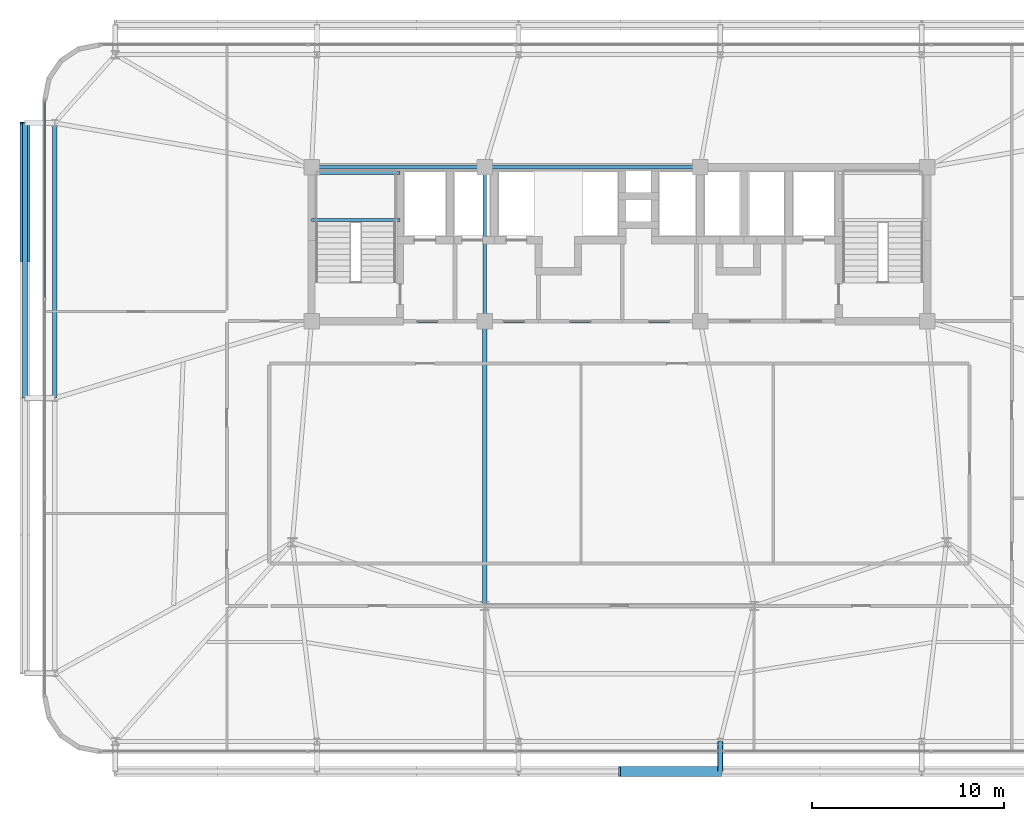
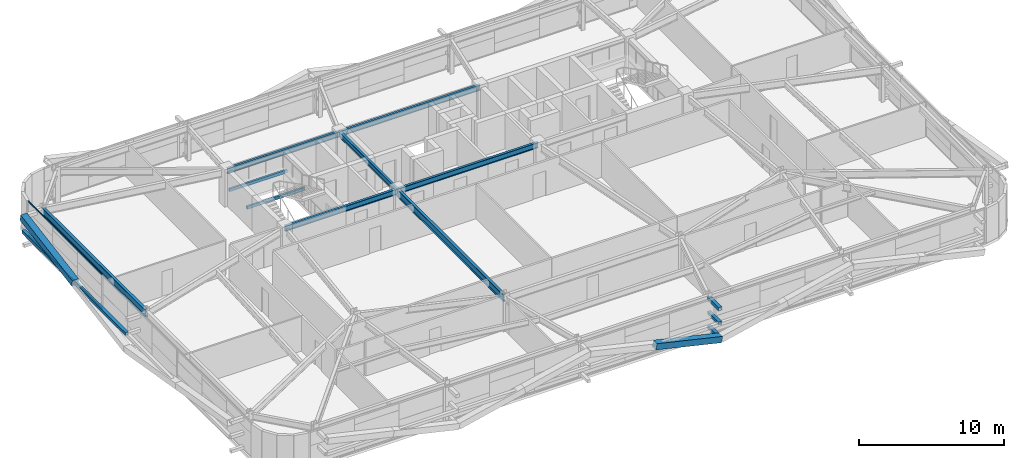
# One storey, part 12 of 44: 9 beams, 8 members, 1 element without a shape of its own.
"""IFC4 building model written with IfcOpenShell, lengths in metres."""

from ifc_helpers import new_model, si_unit, direction, frame, origin, origin_2d, place, context, subcontext, project, spatial, hollow_rectangle, i_section, extrude, source, transform, mapped, material, layer, layer_set, material_profile, profile_set, type_object, element, aggregate, save


model = new_model("IFC4")

# Units and contexts
model_context = context("Model", 3, precision=1e-05, world=origin(), true_north=direction((0.0, 1.0)))
body_context = subcontext(model_context, "Body", "Model", "MODEL_VIEW")
ifc_project = project(units=[si_unit("LENGTHUNIT", "METRE"), si_unit("AREAUNIT", "SQUARE_METRE"), si_unit("VOLUMEUNIT", "CUBIC_METRE"), si_unit("PLANEANGLEUNIT", "RADIAN"), si_unit("MASSUNIT", "GRAM", prefix="KILO")], contexts=[model_context])

# Site, building, storey
site_placement = place(None, origin())
site = spatial("IfcSite", under=ifc_project, at=site_placement, CompositionType="ELEMENT")
building_placement = place(site_placement, origin())
building = spatial("IfcBuilding", under=site, at=building_placement, Name="Taldren Reach Tower", CompositionType="ELEMENT")
storey_placement = place(building_placement, frame((0.0, 0.0, 38.85009765625)))
storey = spatial("IfcBuildingStorey", under=building, at=storey_placement, Name="L11", CompositionType="ELEMENT", Elevation=38.85009765625)

# Beams
ifc_material_1 = material(Name="Steel Gr 350 (350PLUS)", Category="steel")
ifc_material_profile_1 = material_profile(ifc_material_1, i_section(OverallWidth=0.19091796875, OverallDepth=0.4599609375, WebThickness=0.010009765625, FlangeThickness=0.01611328125, at=origin_2d()), Name="460UB82.1")
ifc_profile_set_1 = profile_set([ifc_material_profile_1], Name="Steel Gr 350 (350PLUS)")
beam_type_1 = type_object("IfcBeamType", Name="BM-UB460A", PredefinedType="BEAM", material=ifc_profile_set_1)
shared_shape_1 = source(origin(), body_context, "Body", "SweptSolid", [
    extrude(i_section(OverallWidth=0.19091796875, OverallDepth=0.4599609375, WebThickness=0.010009765625, FlangeThickness=0.01611328125, at=origin_2d()), origin(), (0.0, 0.0, 1.0), 9.0),
])
for number, where, z_axis, x_axis, name in (
    (1, (19.0, 24.0, 2.699951171875), (1.0, 0.0, 0.0), (0.0, 1.0, 0.0), "Core-spine girder L11-SP01"),
    (2, (19.0, 32.0, 2.699951171875), (1.0, 0.0, 0.0), (0.0, 1.0, 0.0), "Core-spine girder L11-SP04"),
):
    element("IfcBeam", number, at=place(storey_placement, frame(where, z_axis=z_axis, x_axis=x_axis)), inside=storey, type_object=beam_type_1, Name=name, PredefinedType="BEAM", context=body_context, shape_type="MappedRepresentation", body=[
        mapped(shared_shape_1, transform((0.0, 0.0, 0.0), scale=1.0)),
    ])
shared_shape_2 = source(origin(), body_context, "Body", "SweptSolid", [
    extrude(i_section(OverallWidth=0.19091796875, OverallDepth=0.4599609375, WebThickness=0.010009765625, FlangeThickness=0.01611328125, at=origin_2d()), origin(), (0.0, 0.0, 1.0), 11.199951171875),
])
for number, where, z_axis, x_axis, name in (
    (3, (28.0, 24.0, 2.699951171875), (1.0, 0.0, 0.0), (0.0, 1.0, 0.0), "Core-spine girder L11-SP02"),
    (4, (28.0, 32.0, 2.699951171875), (1.0, 0.0, 0.0), (0.0, 1.0, 0.0), "Core-spine girder L11-SP05"),
):
    element("IfcBeam", number, at=place(storey_placement, frame(where, z_axis=z_axis, x_axis=x_axis)), inside=storey, type_object=beam_type_1, Name=name, PredefinedType="BEAM", context=body_context, shape_type="MappedRepresentation", body=[
        mapped(shared_shape_2, transform((0.0, 0.0, 0.0), scale=1.0)),
    ])
shared_shape_3 = source(origin(), body_context, "Body", "SweptSolid", [
    extrude(i_section(OverallWidth=0.19091796875, OverallDepth=0.4599609375, WebThickness=0.010009765625, FlangeThickness=0.01611328125, at=origin_2d()), origin(), (0.0, 0.0, 1.0), 8.0),
])
beam_1_placement = place(storey_placement, frame((28.0, 24.0, 2.699951171875), z_axis=(0.0, 1.0, 0.0), x_axis=(-1.0, 0.0, 0.0)))
element("IfcBeam", 5, at=beam_1_placement, inside=storey, type_object=beam_type_1, Name="Core-spine girder L11-SP07", PredefinedType="BEAM", context=body_context, shape_type="MappedRepresentation", body=[
    mapped(shared_shape_3, transform((0.0, 0.0, 0.0), scale=1.0)),
])
ifc_material_profile_2 = material_profile(ifc_material_1, i_section(OverallWidth=0.22802734375, OverallDepth=0.60205078125, WebThickness=0.010498046875, FlangeThickness=0.014892578125, at=origin_2d()), Name="610UB101")
ifc_profile_set_2 = profile_set([ifc_material_profile_2], Name="Steel Gr 350 (350PLUS)")
beam_type_2 = type_object("IfcBeamType", Name="BM-UB610B", PredefinedType="BEAM", material=ifc_profile_set_2)
shared_shape_4 = source(origin(), body_context, "Body", "SweptSolid", [
    extrude(i_section(OverallWidth=0.22802734375, OverallDepth=0.60205078125, WebThickness=0.010498046875, FlangeThickness=0.014892578125, at=origin_2d()), origin(), (0.0, 0.0, 1.0), 14.800048828125),
])
beam_2_placement = place(storey_placement, frame((28.0, 24.0, 2.62890625), z_axis=(0.0, -1.0, 0.0), x_axis=(1.0, 0.0, 0.0)))
element("IfcBeam", 6, at=beam_2_placement, inside=storey, type_object=beam_type_2, Name="Core-spine girder L11-SP14", PredefinedType="BEAM", context=body_context, shape_type="MappedRepresentation", body=[
    mapped(shared_shape_4, transform((0.0, 0.0, 0.0), scale=1.0)),
])
shared_shape_5 = source(origin(), body_context, "Body", "SweptSolid", [
    extrude(i_section(OverallWidth=0.22802734375, OverallDepth=0.60205078125, WebThickness=0.010498046875, FlangeThickness=0.014892578125, at=origin_2d()), origin(), (0.0, 0.0, 1.0), 14.300048828125),
])
beam_3_placement = place(storey_placement, frame((5.64990234375, 34.300048828125, 2.62890625), z_axis=(0.0, -1.0, 0.0), x_axis=(1.0, 0.0, 0.0)))
element("IfcBeam", 7, at=beam_3_placement, inside=storey, type_object=beam_type_2, Name="Perimeter gable girder B1 W3-W2 L11", PredefinedType="BEAM", context=body_context, shape_type="MappedRepresentation", body=[
    mapped(shared_shape_5, transform((0.0, 0.0, 0.0), scale=1.0)),
])

# Members
ifc_material_2 = material(Name="Steel Gr 450 (C450L0)", Category="steel")
ifc_material_profile_3 = material_profile(ifc_material_2, hollow_rectangle(XDim=0.27490234375, YDim=0.27490234375, WallThickness=0.00927734375, at=origin_2d()), Name="275x275x9.3SHS")
ifc_profile_set_3 = profile_set([ifc_material_profile_3], Name="Steel Gr 450 (C450L0)")
member_type_1 = type_object("IfcMemberType", Name="MB-TIE273", PredefinedType="STRUT", material=ifc_profile_set_3)
shared_shape_6 = source(origin(), body_context, "Body", "SweptSolid", [
    extrude(hollow_rectangle(XDim=0.27490234375, YDim=0.27490234375, WallThickness=0.00927734375, at=origin_2d()), origin(), (0.0, 0.0, 1.0), 1.5498046875),
])
member_1_placement = place(storey_placement, frame((40.239990234375, 2.14990234375, 2.64990234375), z_axis=(0.0, -1.0, 0.0), x_axis=(1.0, 0.0, 0.0)))
element("IfcMember", 8, at=member_1_placement, inside=storey, type_object=member_type_1, Name="Exoskeleton diaphragm tie strut B1-S4 L11", PredefinedType="STRUT", context=body_context, shape_type="MappedRepresentation", body=[
    mapped(shared_shape_6, transform((0.0, 0.0, 0.0), scale=1.0)),
])
ifc_material_profile_4 = material_profile(ifc_material_2, hollow_rectangle(XDim=0.510009765625, YDim=0.510009765625, WallThickness=0.02001953125, at=origin_2d()), Name="510x510x20.0SHS")
ifc_profile_set_4 = profile_set([ifc_material_profile_4], Name="Steel Gr 450 (C450L0)")
member_type_2 = type_object("IfcMemberType", Name="MB-EXO508", PredefinedType="BRACE", material=ifc_profile_set_4)
shared_shape_7 = source(origin(), body_context, "Body", "SweptSolid", [
    extrude(hollow_rectangle(XDim=0.510009765625, YDim=0.510009765625, WallThickness=0.02001953125, at=origin_2d()), origin(), (0.0, 0.0, 1.0), 5.37890625),
])
member_2_placement = place(storey_placement, frame((40.239990234375, 0.60009765625, 0.219970703125), z_axis=(-0.974161966843, 0.0, 0.225850531007), x_axis=(0.0, -1.0, 0.0)))
element("IfcMember", 9, at=member_2_placement, inside=storey, type_object=member_type_2, Name="Exoskeleton Diagrid Brace B1-S3 L11", PredefinedType="BRACE", context=body_context, shape_type="MappedRepresentation", body=[
    mapped(shared_shape_7, transform((0.0, 0.0, 0.0), scale=1.0)),
])
ifc_material_3 = material(Name="Steel Gr 350 (C350L0)", Category="steel")
ifc_material_profile_5 = material_profile(ifc_material_3, hollow_rectangle(XDim=0.25, YDim=0.25, WallThickness=0.010009765625, at=origin_2d()), Name="250x250x10.0SHS")
ifc_profile_set_5 = profile_set([ifc_material_profile_5], Name="Steel Gr 350 (C350L0)")
member_type_3 = type_object("IfcMemberType", Name="MB-POST250", PredefinedType="POST", material=ifc_profile_set_5)
shared_shape_8 = source(origin(), body_context, "Body", "SweptSolid", [
    extrude(hollow_rectangle(XDim=0.25, YDim=0.25, WallThickness=0.010009765625, at=origin_2d()), origin(), (0.0, 0.0, 1.0), 1.5498046875),
])
for number, where, z_axis, x_axis, name in (
    (10, (40.239990234375, 2.14990234375, 0.219970703125), (0.0, -1.0, 0.0), (1.0, 0.0, 0.0), "Exoskeleton base diaphragm tie strut B1-S4 L11"),
    (11, (40.239990234375, 2.14990234375, 1.434814453125), (0.0, -1.0, 0.0), (1.0, 0.0, 0.0), "Exoskeleton mid-tier diaphragm tie B1-S4 L11"),
):
    element("IfcMember", number, at=place(storey_placement, frame(where, z_axis=z_axis, x_axis=x_axis)), inside=storey, type_object=member_type_3, Name=name, PredefinedType="POST", context=body_context, shape_type="MappedRepresentation", body=[
        mapped(shared_shape_8, transform((0.0, 0.0, 0.0), scale=1.0)),
    ])
shared_shape_9 = source(origin(), body_context, "Body", "SweptSolid", [
    extrude(hollow_rectangle(XDim=0.510009765625, YDim=0.510009765625, WallThickness=0.02001953125, at=origin_2d()), origin(), (0.0, 0.0, 1.0), 7.252685546875),
])
member_3_placement = place(storey_placement, frame((4.10009765625, 27.14990234375, 1.434814453125), z_axis=(0.0, 0.985865800628, 0.167536930711), x_axis=(-1.0, 0.0, 0.0)))
element("IfcMember", 12, at=member_3_placement, inside=storey, type_object=member_type_2, Name="Exoskeleton Diagrid Brace B1-W2 L11", PredefinedType="BRACE", context=body_context, shape_type="MappedRepresentation", body=[
    mapped(shared_shape_9, transform((0.0, 0.0, 0.0), scale=1.0)),
])
shared_shape_10 = source(origin(), body_context, "Body", "SweptSolid", [
    extrude(hollow_rectangle(XDim=0.25, YDim=0.25, WallThickness=0.010009765625, at=origin_2d()), origin(), (0.0, 0.0, 1.0), 14.300048828125),
])
member_4_placement = place(storey_placement, frame((4.10009765625, 20.0, 1.434814453125), z_axis=(0.0, 1.0, 0.0), x_axis=(-1.0, 0.0, 0.0)))
element("IfcMember", 13, at=member_4_placement, inside=storey, type_object=member_type_3, Name="Exoskeleton mid-height ring chord B1-W2 L11", PredefinedType="POST", context=body_context, shape_type="MappedRepresentation", body=[
    mapped(shared_shape_10, transform((0.0, 0.0, 0.0), scale=1.0)),
])

# Curtain wall, members
ifc_material_4 = material(Name="Aluminium and Low-E Glass Unitised System", Category="aluminium")
ifc_layer = layer(ifc_material_4, 0.159912109375)
ifc_layer_set = layer_set([ifc_layer], Name="Aluminium and Low-E Glass Unitised System")
curtain_wall_type = type_object("IfcCurtainWallType", Name="CW-SYS-2", PredefinedType="NOTDEFINED", material=ifc_layer_set)
curtain_wall_placement = place(storey_placement, origin())
curtain_wall = element("IfcCurtainWall", 14, at=curtain_wall_placement, inside=storey, type_object=curtain_wall_type, Name="Unitised curtain wall CW-L11-W", PredefinedType="NOTDEFINED")
ifc_material_5 = material(Name="Anodised Aluminium 6063-T6", Category="aluminium")
ifc_material_profile_6 = material_profile(ifc_material_5, hollow_rectangle(XDim=0.054931640625, YDim=0.1201171875, WallThickness=0.0029296875, at=origin_2d()), Name="ALU-120x55x3RHS")
ifc_profile_set_6 = profile_set([ifc_material_profile_6], Name="Anodised Aluminium 6063-T6")
member_type_4 = type_object("IfcMemberType", Name="CW-TRN-135", PredefinedType="USERDEFINED", material=ifc_profile_set_6)
shared_shape_11 = source(origin(), body_context, "Body", "SweptSolid", [
    extrude(hollow_rectangle(XDim=0.054931640625, YDim=0.1201171875, WallThickness=0.0029296875, at=origin_2d()), origin(), (0.0, 0.0, 1.0), 10.23583984375),
])
member_5_placement = place(storey_placement, frame((5.139892578125, 35.43505859375, 0.02734375), z_axis=(0.0, -1.0, 0.0), x_axis=(1.0, 0.0, 0.0)))
member_5 = element("IfcMember", 15, at=member_5_placement, type_object=member_type_4, Name="CW-2 transom 1.1", ObjectType="TRANSOM", PredefinedType="USERDEFINED", context=body_context, shape_type="MappedRepresentation", body=[
    mapped(shared_shape_11, transform((0.0, 0.0, 0.0), scale=1.0)),
])
member_6_placement = place(storey_placement, frame((5.139892578125, 35.43505859375, 2.90234375), z_axis=(0.0, -1.0, 0.0), x_axis=(1.0, 0.0, 0.0)))
member_6 = element("IfcMember", 16, at=member_6_placement, type_object=member_type_4, Name="CW-2 transom 1.2", ObjectType="TRANSOM", PredefinedType="USERDEFINED", context=body_context, shape_type="MappedRepresentation", body=[
    mapped(shared_shape_11, transform((0.0, 0.0, 0.0), scale=1.0)),
])
aggregate(curtain_wall, [member_5, member_6])

# Beams
ifc_material_profile_7 = material_profile(ifc_material_3, hollow_rectangle(XDim=0.14990234375, YDim=0.25, WallThickness=0.009033203125, at=origin_2d()), Name="250x150x9.0RHS")
ifc_profile_set_7 = profile_set([ifc_material_profile_7], Name="Steel Gr 350 (C350L0)")
beam_type_3 = type_object("IfcBeamType", Name="LN-RHS250", PredefinedType="LINTEL", material=ifc_profile_set_7)
shared_shape_12 = source(origin(), body_context, "Body", "SweptSolid", [
    extrude(hollow_rectangle(XDim=0.14990234375, YDim=0.25, WallThickness=0.009033203125, at=origin_2d()), origin(), (0.0, 0.0, 1.0), 4.60009765625),
])
for number, where, z_axis, x_axis, name in (
    (17, (19.0, 29.2548828125, 1.27001953125), (1.0, 0.0, 0.0), (0.0, 1.0, 0.0), "Stair half-landing support beam ST1-L11-1"),
    (18, (19.0, 31.699951171875, 1.27001953125), (1.0, 0.0, 0.0), (0.0, 1.0, 0.0), "Stair half-landing support beam ST1-L11-2"),
):
    element("IfcBeam", number, at=place(storey_placement, frame(where, z_axis=z_axis, x_axis=x_axis)), inside=storey, type_object=beam_type_3, Name=name, PredefinedType="LINTEL", context=body_context, shape_type="MappedRepresentation", body=[
        mapped(shared_shape_12, transform((0.0, 0.0, 0.0), scale=1.0)),
    ])

save(model, "model.ifc")
